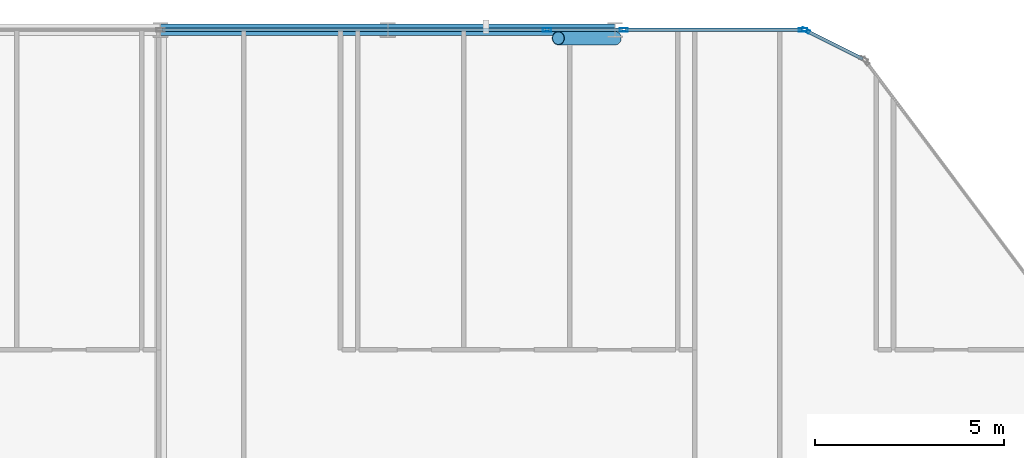
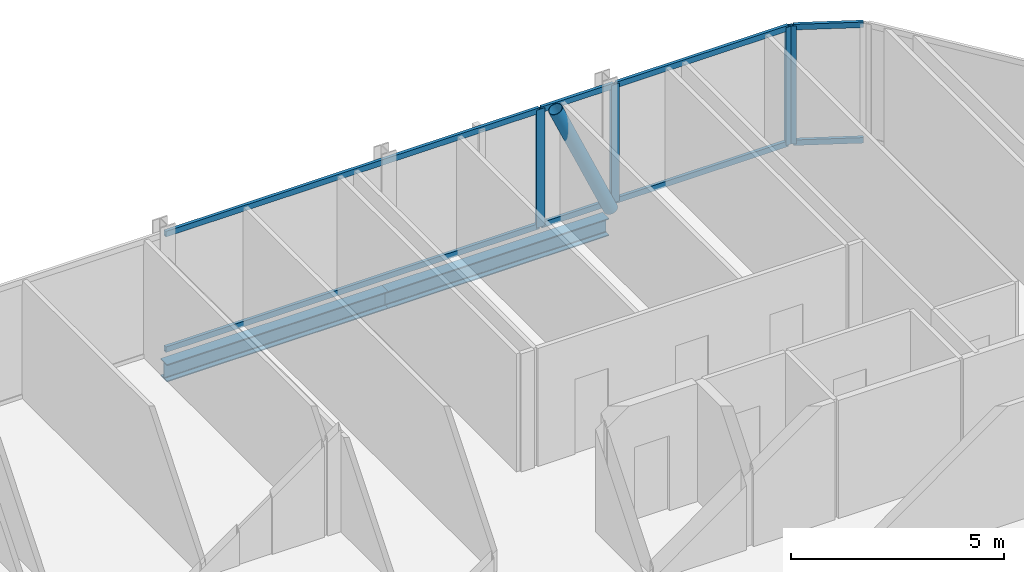
# One storey, part 16 of 34: 13 members, 2 beams, 4 elements without a shape of their own.
"""IFC4 building model written with IfcOpenShell, lengths in metres."""

from ifc_helpers import new_model, si_unit, direction, frame, origin, origin_2d, place, context, subcontext, project, spatial, hollow_rectangle, hollow_circle, i_section, extrude, material, layer, layer_set, material_profile, profile_set, type_object, element, aggregate, save


model = new_model("IFC4")

# Units and contexts
model_context = context("Model", 3, precision=1e-05, world=origin(), true_north=direction((0.0, 1.0)))
body_context = subcontext(model_context, "Body", "Model", "MODEL_VIEW")
ifc_project = project(units=[si_unit("LENGTHUNIT", "METRE"), si_unit("AREAUNIT", "SQUARE_METRE"), si_unit("VOLUMEUNIT", "CUBIC_METRE"), si_unit("PLANEANGLEUNIT", "RADIAN"), si_unit("MASSUNIT", "GRAM", prefix="KILO")], contexts=[model_context])

# Site, building, storey
site_placement = place(None, origin())
site = spatial("IfcSite", under=ifc_project, at=site_placement, CompositionType="ELEMENT")
building_placement = place(site_placement, origin())
building = spatial("IfcBuilding", under=site, at=building_placement, Name="Keshet Zoharim Tower", CompositionType="ELEMENT")
storey_placement = place(building_placement, frame((0.0, 0.0, 53.60009765625)))
storey = spatial("IfcBuildingStorey", under=building, at=storey_placement, Name="L12", CompositionType="ELEMENT", Elevation=53.60009765625)

# Beams
ifc_material_1 = material(Name="Steel S355", Category="steel")
ifc_material_profile_1 = material_profile(ifc_material_1, i_section(OverallWidth=0.300048828125, OverallDepth=0.5, WebThickness=0.014404296875, FlangeThickness=0.028076171875, FilletRadius=0.027099609375, at=origin_2d()), Name="HEB500")
ifc_profile_set_1 = profile_set([ifc_material_profile_1], Name="Steel S355")
beam_type = type_object("IfcBeamType", Name="BM-WEB-HB500", PredefinedType="BEAM", material=ifc_profile_set_1)
for number, where, z_axis, x_axis, name in (
    (1, (33.0, 53.89990234375, -0.565185546875), (1.0, 0.0, 0.0), (0.0, 1.0, 0.0), "L12 Primary Girder X-031"),
    (2, (39.0, 53.89990234375, -0.565185546875), (1.0, 0.0, 0.0), (0.0, 1.0, 0.0), "L12 Primary Girder X-032"),
):
    element("IfcBeam", number, at=place(storey_placement, frame(where, z_axis=z_axis, x_axis=x_axis)), inside=storey, type_object=beam_type, Name=name, PredefinedType="BEAM", context=body_context, shape_type="SweptSolid", body=[
        extrude(i_section(OverallWidth=0.300048828125, OverallDepth=0.5, WebThickness=0.014404296875, FlangeThickness=0.028076171875, FilletRadius=0.027099609375, at=origin_2d()), origin(), (0.0, 0.0, 1.0), 6.0),
    ])

# Curtain wall, member
ifc_material_2 = material(Name="Aluminium 6063-T6", Category="aluminium")
ifc_layer = layer(ifc_material_2, 0.169921875)
ifc_layer_set = layer_set([ifc_layer], Name="Aluminium 6063-T6")
curtain_wall_type = type_object("IfcCurtainWallType", Name="CW-SYS-02", PredefinedType="NOTDEFINED", material=ifc_layer_set)
curtain_wall_1_placement = place(storey_placement, origin())
curtain_wall_1 = element("IfcCurtainWall", 3, at=curtain_wall_1_placement, inside=storey, type_object=curtain_wall_type, Name="L12 Unitised Curtain Wall 07 Part 3", PredefinedType="NOTDEFINED")
ifc_material_profile_2 = material_profile(ifc_material_2, hollow_rectangle(XDim=0.090087890625, YDim=0.219970703125, WallThickness=0.0048828125, at=origin_2d()), Name="MUL-90x220")
ifc_profile_set_2 = profile_set([ifc_material_profile_2], Name="Aluminium 6063-T6")
member_type_1 = type_object("IfcMemberType", Name="CWM-M22", PredefinedType="MULLION", material=ifc_profile_set_2)
member_1_placement = place(storey_placement, frame((43.202392578125, 53.89990234375, 0.0), z_axis=(0.0, 0.0, 1.0), x_axis=(0.0, 1.0, 0.0)))
member_1 = element("IfcMember", 4, at=member_1_placement, type_object=member_type_1, Name="CW-02 mullion 3", PredefinedType="MULLION", context=body_context, shape_type="SweptSolid", body=[
    extrude(hollow_rectangle(XDim=0.090087890625, YDim=0.219970703125, WallThickness=0.0048828125, at=origin_2d()), origin(), (0.0, 0.0, 1.0), 3.385009765625),
])

curtain_wall_2_placement = place(storey_placement, origin())
curtain_wall_2 = element("IfcCurtainWall", 5, at=curtain_wall_2_placement, inside=storey, type_object=curtain_wall_type, Name="L12 Unitised Curtain Wall 07 Part 4", PredefinedType="NOTDEFINED")
member_2_placement = place(storey_placement, frame((45.2275390625, 53.89990234375, 0.0), z_axis=(0.0, 0.0, 1.0), x_axis=(0.0, 1.0, 0.0)))
member_2 = element("IfcMember", 6, at=member_2_placement, type_object=member_type_1, Name="CW-02 mullion 2", PredefinedType="MULLION", context=body_context, shape_type="SweptSolid", body=[
    extrude(hollow_rectangle(XDim=0.090087890625, YDim=0.219970703125, WallThickness=0.0048828125, at=origin_2d()), origin(), (0.0, 0.0, 1.0), 3.385009765625),
])

curtain_wall_3_placement = place(storey_placement, origin())
curtain_wall_3 = element("IfcCurtainWall", 7, at=curtain_wall_3_placement, inside=storey, type_object=curtain_wall_type, Name="L12 Unitised Curtain Wall 07 Part 5", PredefinedType="NOTDEFINED")
member_3_placement = place(storey_placement, frame((49.965087890625, 53.89990234375, 0.0), z_axis=(0.0, 0.0, 1.0), x_axis=(0.0, 1.0, 0.0)))
member_3 = element("IfcMember", 8, at=member_3_placement, type_object=member_type_1, Name="CW-02 mullion 2", PredefinedType="MULLION", context=body_context, shape_type="SweptSolid", body=[
    extrude(hollow_rectangle(XDim=0.090087890625, YDim=0.219970703125, WallThickness=0.0048828125, at=origin_2d()), origin(), (0.0, 0.0, 1.0), 3.385009765625),
])

curtain_wall_4_placement = place(storey_placement, origin())
curtain_wall_4 = element("IfcCurtainWall", 9, at=curtain_wall_4_placement, inside=storey, type_object=curtain_wall_type, Name="L12 Unitised Curtain Wall 08", PredefinedType="NOTDEFINED")
member_4_placement = place(storey_placement, frame((50.03125, 53.88427734375, 0.0), z_axis=(0.0, 0.0, 1.0), x_axis=(0.447213595499, 0.894427191001, 0.0)))
member_4 = element("IfcMember", 10, at=member_4_placement, type_object=member_type_1, Name="CW-02 mullion 1", PredefinedType="MULLION", context=body_context, shape_type="SweptSolid", body=[
    extrude(hollow_rectangle(XDim=0.090087890625, YDim=0.219970703125, WallThickness=0.0048828125, at=origin_2d()), origin(), (0.0, 0.0, 1.0), 3.385009765625),
])

# Member
ifc_material_profile_3 = material_profile(ifc_material_2, hollow_rectangle(XDim=0.0849609375, YDim=0.159912109375, WallThickness=0.00439453125, at=origin_2d()), Name="TRN-85x160")
ifc_profile_set_3 = profile_set([ifc_material_profile_3], Name="Aluminium 6063-T6")
member_type_2 = type_object("IfcMemberType", Name="CWT-T16", PredefinedType="USERDEFINED", material=ifc_profile_set_3)
member_5_placement = place(storey_placement, frame((33.034912109375, 53.89990234375, 0.034912109375), z_axis=(1.0, 0.0, 0.0), x_axis=(0.0, 1.0, 0.0)))
member_5 = element("IfcMember", 11, at=member_5_placement, type_object=member_type_2, Name="CW-02 transom 2.1", ObjectType="TRANSOM", PredefinedType="USERDEFINED", context=body_context, shape_type="SweptSolid", body=[
    extrude(hollow_rectangle(XDim=0.0849609375, YDim=0.159912109375, WallThickness=0.00439453125, at=origin_2d()), origin(), (0.0, 0.0, 1.0), 10.132568359375),
])

member_6_placement = place(storey_placement, frame((33.034912109375, 53.89990234375, 3.349853515625), z_axis=(1.0, 0.0, 0.0), x_axis=(0.0, 1.0, 0.0)))
member_6 = element("IfcMember", 12, at=member_6_placement, type_object=member_type_2, Name="CW-02 transom 2.2", ObjectType="TRANSOM", PredefinedType="USERDEFINED", context=body_context, shape_type="SweptSolid", body=[
    extrude(hollow_rectangle(XDim=0.0849609375, YDim=0.159912109375, WallThickness=0.00439453125, at=origin_2d()), origin(), (0.0, 0.0, 1.0), 10.132568359375),
])

aggregate(curtain_wall_1, [member_1, member_5, member_6])

member_7_placement = place(storey_placement, frame((43.2373046875, 53.89990234375, 0.034912109375), z_axis=(1.0, 0.0, 0.0), x_axis=(0.0, 1.0, 0.0)))
member_7 = element("IfcMember", 13, at=member_7_placement, type_object=member_type_2, Name="CW-02 transom 1.1", ObjectType="TRANSOM", PredefinedType="USERDEFINED", context=body_context, shape_type="SweptSolid", body=[
    extrude(hollow_rectangle(XDim=0.0849609375, YDim=0.159912109375, WallThickness=0.00439453125, at=origin_2d()), origin(), (0.0, 0.0, 1.0), 1.955322265625),
])

member_8_placement = place(storey_placement, frame((43.2373046875, 53.89990234375, 3.349853515625), z_axis=(1.0, 0.0, 0.0), x_axis=(0.0, 1.0, 0.0)))
member_8 = element("IfcMember", 14, at=member_8_placement, type_object=member_type_2, Name="CW-02 transom 1.2", ObjectType="TRANSOM", PredefinedType="USERDEFINED", context=body_context, shape_type="SweptSolid", body=[
    extrude(hollow_rectangle(XDim=0.0849609375, YDim=0.159912109375, WallThickness=0.00439453125, at=origin_2d()), origin(), (0.0, 0.0, 1.0), 1.955322265625),
])

aggregate(curtain_wall_2, [member_2, member_7, member_8])

member_9_placement = place(storey_placement, frame((45.2626953125, 53.89990234375, 0.034912109375), z_axis=(1.0, 0.0, 0.0), x_axis=(0.0, 1.0, 0.0)))
member_9 = element("IfcMember", 15, at=member_9_placement, type_object=member_type_2, Name="CW-02 transom 1.1", ObjectType="TRANSOM", PredefinedType="USERDEFINED", context=body_context, shape_type="SweptSolid", body=[
    extrude(hollow_rectangle(XDim=0.0849609375, YDim=0.159912109375, WallThickness=0.00439453125, at=origin_2d()), origin(), (0.0, 0.0, 1.0), 4.667236328125),
])

member_10_placement = place(storey_placement, frame((45.2626953125, 53.89990234375, 3.349853515625), z_axis=(1.0, 0.0, 0.0), x_axis=(0.0, 1.0, 0.0)))
member_10 = element("IfcMember", 16, at=member_10_placement, type_object=member_type_2, Name="CW-02 transom 1.2", ObjectType="TRANSOM", PredefinedType="USERDEFINED", context=body_context, shape_type="SweptSolid", body=[
    extrude(hollow_rectangle(XDim=0.0849609375, YDim=0.159912109375, WallThickness=0.00439453125, at=origin_2d()), origin(), (0.0, 0.0, 1.0), 4.667236328125),
])

aggregate(curtain_wall_3, [member_3, member_9, member_10])

member_11_placement = place(storey_placement, frame((50.0625, 53.86865234375, 0.034912109375), z_axis=(0.894456801911, -0.447154368775, 0.0), x_axis=(0.447154368775, 0.894456801911, 0.0)))
member_11 = element("IfcMember", 17, at=member_11_placement, type_object=member_type_2, Name="CW-02 transom 1.1", ObjectType="TRANSOM", PredefinedType="USERDEFINED", context=body_context, shape_type="SweptSolid", body=[
    extrude(hollow_rectangle(XDim=0.0849609375, YDim=0.159912109375, WallThickness=0.00439453125, at=origin_2d()), origin(), (0.0, 0.0, 1.0), 1.64892578125),
])

member_12_placement = place(storey_placement, frame((50.0625, 53.86865234375, 3.349853515625), z_axis=(0.894456801911, -0.447154368775, 0.0), x_axis=(0.447154368775, 0.894456801911, 0.0)))
member_12 = element("IfcMember", 18, at=member_12_placement, type_object=member_type_2, Name="CW-02 transom 1.2", ObjectType="TRANSOM", PredefinedType="USERDEFINED", context=body_context, shape_type="SweptSolid", body=[
    extrude(hollow_rectangle(XDim=0.0849609375, YDim=0.159912109375, WallThickness=0.00439453125, at=origin_2d()), origin(), (0.0, 0.0, 1.0), 1.64892578125),
])

aggregate(curtain_wall_4, [member_4, member_11, member_12])

ifc_material_profile_4 = material_profile(ifc_material_1, hollow_circle(Radius=0.177734375, WallThickness=0.012451171875, at=origin_2d()), Name="CHS355x12.5")
ifc_profile_set_4 = profile_set([ifc_material_profile_4], Name="Steel S355")
member_type_3 = type_object("IfcMemberType", Name="MB-BR-C355", PredefinedType="BRACE", material=ifc_profile_set_4)
member_13_placement = place(storey_placement, frame((45.0, 53.679931640625, 0.0), z_axis=(-0.405134846829, 0.0, 0.91425694194), x_axis=(0.0, -1.0, 0.0)))
element("IfcMember", 19, at=member_13_placement, inside=storey, type_object=member_type_3, Name="L12 Perimeter Tube Brace 04", PredefinedType="BRACE", context=body_context, shape_type="SweptSolid", body=[
    extrude(hollow_circle(Radius=0.177734375, WallThickness=0.012451171875, at=origin_2d()), origin(), (0.0, 0.0, 1.0), 3.702392578125),
])

save(model, "model.ifc")
